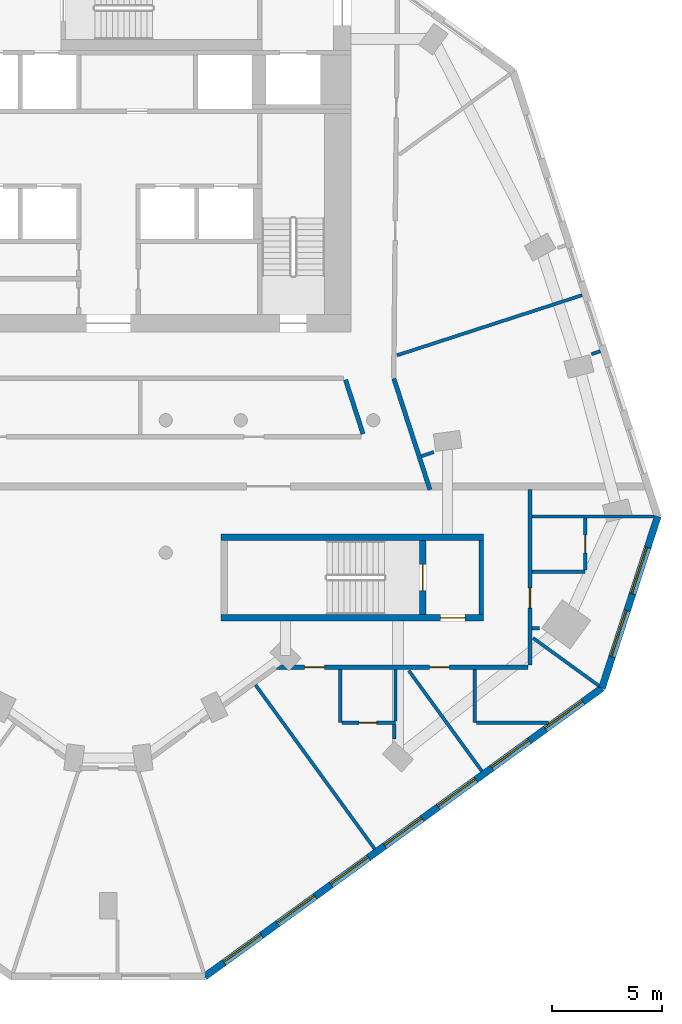
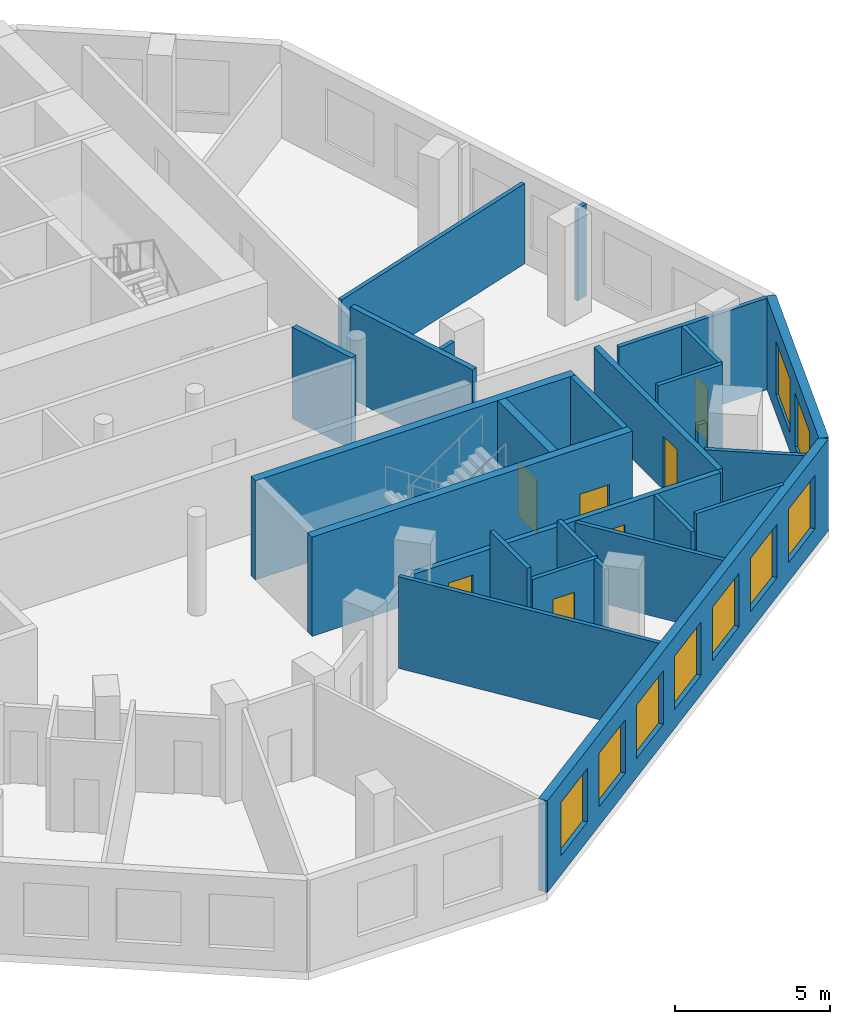
# One storey, part 4 of 9: 26 walls, 9 windows, 7 doors, 16 openings.
"""IFC4 building model written with IfcOpenShell, lengths in metres."""

from ifc_helpers import new_model, si_unit, direction, frame, frame_2d, origin, place, context, subcontext, project, spatial, rectangle, extrude, material, layer, layer_set, type_object, element, fill, save


model = new_model("IFC4")

# Units and contexts
model_context = context("Model", 3, precision=1e-05, world=origin(), true_north=direction((0.0, 1.0)))
body_context = subcontext(model_context, "Body", "Model", "MODEL_VIEW")
ifc_project = project(units=[si_unit("LENGTHUNIT", "METRE"), si_unit("AREAUNIT", "SQUARE_METRE"), si_unit("VOLUMEUNIT", "CUBIC_METRE"), si_unit("PLANEANGLEUNIT", "RADIAN"), si_unit("MASSUNIT", "GRAM", prefix="KILO")], contexts=[model_context])

# Site, building, storey
site_placement = place(None, origin())
site = spatial("IfcSite", under=ifc_project, at=site_placement, CompositionType="ELEMENT")
building_placement = place(site_placement, origin())
building = spatial("IfcBuilding", under=site, at=building_placement, Name="White Candle Pilgrim Tower", CompositionType="ELEMENT")
storey_placement = place(building_placement, frame((0.0, 0.0, 204.300048828125)))
storey = spatial("IfcBuildingStorey", under=building, at=storey_placement, Name="L47", CompositionType="ELEMENT", Elevation=204.300048828125)

# Walls
ifc_material_1 = material(Name="Concrete C50/60", Category="concrete")
ifc_layer_1 = layer(ifc_material_1, 0.199951171875)
ifc_layer_set_1 = layer_set([ifc_layer_1], Name="Core wall 200 mm Concrete C50/60")
wall_type_1 = type_object("IfcWallType", Name="Core wall 200 mm Concrete C50/60", PredefinedType="SHEAR", material=ifc_layer_set_1)
wall_1_placement = place(storey_placement, frame((86.89990234375, 58.199951171875, 0.0), z_axis=(0.0, 0.0, 1.0), x_axis=(0.0, 1.0, 0.0)))
element("IfcWall", 1, at=wall_1_placement, inside=storey, type_object=wall_type_1, Name="WL-L47-C08", PredefinedType="SHEAR", context=body_context, shape_type="SweptSolid", body=[
    extrude(rectangle(XDim=3.35009765625, YDim=0.199951171875, at=frame_2d((1.675048828125, 0.0))), origin(), (0.0, 0.0, 1.0), 3.89990234375),
])
ifc_material_2 = material(Name="Gypsum board on steel studs", Category="steel")
ifc_layer_2 = layer(ifc_material_2, 0.199951171875)
ifc_layer_set_2 = layer_set([ifc_layer_2], Name="Corridor wall 200 mm EI 45")
wall_type_2 = type_object("IfcWallType", Name="Corridor wall 200 mm EI 45", PredefinedType="PARTITIONING", material=ifc_layer_set_2)
wall_2_placement = place(storey_placement, frame((82.93310546875, 68.884521484375, 0.0), z_axis=(0.0, 0.0, 1.0), x_axis=(0.309009941901, -0.951058807754, 0.0)))
element("IfcWall", 2, at=wall_2_placement, inside=storey, type_object=wall_type_2, Name="WL-L47-P005", PredefinedType="PARTITIONING", context=body_context, shape_type="SweptSolid", body=[
    extrude(rectangle(XDim=5.29345703125, YDim=0.199951171875, at=frame_2d((2.646728515625, 0.0))), origin(), (0.0, 0.0, 1.0), 3.599853515625),
])

# Wall, opening, door
wall_3_placement = place(storey_placement, frame((89.10009765625, 63.85009765625, 0.0), z_axis=(0.0, 0.0, 1.0), x_axis=(0.0, -1.0, 0.0)))
wall_3 = element("IfcWall", 3, at=wall_3_placement, inside=storey, type_object=wall_type_2, Name="WL-L47-P006", PredefinedType="PARTITIONING", context=body_context, shape_type="SweptSolid", body=[
    extrude(rectangle(XDim=7.9501953125, YDim=0.199951171875, at=frame_2d((3.97509765625, 0.0))), origin(), (0.0, 0.0, 1.0), 2.89990234375),
])
opening_1_placement = place(wall_3_placement, frame((4.461181640625, 0.0, 0.0)))
opening_1 = element("IfcOpeningElement", 4, at=opening_1_placement, cuts=wall_3, Name="Opening T14-114", PredefinedType="OPENING", context=body_context, shape_type="SweptSolid", body=[
    extrude(rectangle(XDim=0.89990234375, YDim=2.10009765625, at=frame_2d((0.449951171875, 1.050048828125))), frame((0.0, 0.10986328125, 0.0), z_axis=(0.0, -1.0, 0.0), x_axis=(1.0, 0.0, 0.0)), (0.0, 0.0, 1.0), 0.219970703125),
])
ifc_material_3 = material(Name="Steel door leaf", Category="steel")
door_type_1 = type_object("IfcDoorType", Name="Fire door 900 x 2100 EI 30", OperationType="NOTDEFINED", PredefinedType="DOOR", material=ifc_material_3)
door_1_placement = place(opening_1_placement, origin())
door_1 = element("IfcDoor", 5, at=door_1_placement, inside=storey, type_object=door_type_1, Name="Door T14-114", OperationType="SINGLE_SWING_RIGHT", OverallHeight=2.10009765625, OverallWidth=0.89990234375, PredefinedType="DOOR", context=body_context, shape_type="SweptSolid", body=[
    extrude(rectangle(XDim=0.89990234375, YDim=2.10009765625, at=frame_2d((0.449951171875, 1.050048828125))), frame((0.0, 0.02490234375, 0.0), z_axis=(0.0, -1.0, 0.0), x_axis=(1.0, 0.0, 0.0)), (0.0, 0.0, 1.0), 0.050048828125),
])
fill(opening_1, door_1)

# Wall, openings, doors
wall_4_placement = place(storey_placement, frame((89.0, 55.800048828125, 0.0), z_axis=(0.0, 0.0, 1.0), x_axis=(-1.0, 0.0, 0.0)))
wall_4 = element("IfcWall", 6, at=wall_4_placement, inside=storey, type_object=wall_type_2, Name="WL-L47-P007", PredefinedType="PARTITIONING", context=body_context, shape_type="SweptSolid", body=[
    extrude(rectangle(XDim=11.382080078125, YDim=0.199951171875, at=frame_2d((5.69091796875, 0.0))), origin(), (0.0, 0.0, 1.0), 2.89990234375),
])
opening_2_placement = place(wall_4_placement, frame((9.20361328125, 0.0, 0.0)))
opening_2 = element("IfcOpeningElement", 7, at=opening_2_placement, cuts=wall_4, Name="Opening T14-111", PredefinedType="OPENING", context=body_context, shape_type="SweptSolid", body=[
    extrude(rectangle(XDim=0.89990234375, YDim=2.10009765625, at=frame_2d((0.449951171875, 1.050048828125))), frame((0.0, 0.10986328125, 0.0), z_axis=(0.0, -1.0, 0.0), x_axis=(1.0, 0.0, 0.0)), (0.0, 0.0, 1.0), 0.219970703125),
])
opening_3_placement = place(wall_4_placement, frame((3.54638671875, 0.0, 0.0)))
opening_3 = element("IfcOpeningElement", 8, at=opening_3_placement, cuts=wall_4, Name="Opening T14-112", PredefinedType="OPENING", context=body_context, shape_type="SweptSolid", body=[
    extrude(rectangle(XDim=0.89990234375, YDim=2.10009765625, at=frame_2d((0.449951171875, 1.050048828125))), frame((0.0, 0.10986328125, 0.0), z_axis=(0.0, -1.0, 0.0), x_axis=(1.0, 0.0, 0.0)), (0.0, 0.0, 1.0), 0.219970703125),
])
door_2_placement = place(opening_2_placement, origin())
door_2 = element("IfcDoor", 9, at=door_2_placement, inside=storey, type_object=door_type_1, Name="Door T14-111", OperationType="SINGLE_SWING_LEFT", OverallHeight=2.10009765625, OverallWidth=0.89990234375, PredefinedType="DOOR", context=body_context, shape_type="SweptSolid", body=[
    extrude(rectangle(XDim=0.89990234375, YDim=2.10009765625, at=frame_2d((0.449951171875, 1.050048828125))), frame((0.0, 0.02490234375, 0.0), z_axis=(0.0, -1.0, 0.0), x_axis=(1.0, 0.0, 0.0)), (0.0, 0.0, 1.0), 0.050048828125),
])
fill(opening_2, door_2)
door_3_placement = place(opening_3_placement, origin())
door_3 = element("IfcDoor", 10, at=door_3_placement, inside=storey, type_object=door_type_1, Name="Door T14-112", OperationType="SINGLE_SWING_RIGHT", OverallHeight=2.10009765625, OverallWidth=0.89990234375, PredefinedType="DOOR", context=body_context, shape_type="SweptSolid", body=[
    extrude(rectangle(XDim=0.89990234375, YDim=2.10009765625, at=frame_2d((0.449951171875, 1.050048828125))), frame((0.0, 0.02490234375, 0.0), z_axis=(0.0, -1.0, 0.0), x_axis=(1.0, 0.0, 0.0)), (0.0, 0.0, 1.0), 0.050048828125),
])
fill(opening_3, door_3)

# Wall
wall_5_placement = place(storey_placement, frame((81.538330078125, 66.380859375, 0.0), z_axis=(0.0, 0.0, 1.0), x_axis=(-0.309053927645, 0.951044515155, 0.0)))
element("IfcWall", 11, at=wall_5_placement, inside=storey, type_object=wall_type_2, Name="WL-L47-P014", PredefinedType="PARTITIONING", context=body_context, shape_type="SweptSolid", body=[
    extrude(rectangle(XDim=2.576171875, YDim=0.199951171875, at=frame_2d((1.2880859375, 0.0))), origin(), (0.0, 0.0, 1.0), 3.599853515625),
])

# Wall, openings, windows
ifc_material_4 = material(Name="Precast concrete C40/50", Category="concrete")
ifc_layer_3 = layer(ifc_material_4, 0.320068359375)
ifc_layer_set_3 = layer_set([ifc_layer_3], Name="Facade wall EW1 precast concrete C40/50 pier wall with timber-lined reveals")
wall_type_3 = type_object("IfcWallType", Name="Facade wall EW1 precast concrete C40/50 pier wall with timber-lined reveals", PredefinedType="SOLIDWALL", material=ifc_layer_set_3)
wall_6_placement = place(storey_placement, frame((74.377685546875, 41.801025390625, 0.0), z_axis=(0.0, 0.0, 1.0), x_axis=(0.809017634756, 0.587784370883, 0.0)))
wall_6 = element("IfcWall", 12, at=wall_6_placement, inside=storey, type_object=wall_type_3, Name="Facade wall L47 SE", PredefinedType="SOLIDWALL", context=body_context, shape_type="SweptSolid", body=[
    extrude(rectangle(XDim=22.228759765625, YDim=0.320068359375, at=frame_2d((11.1142578125, 0.0))), origin(), (0.0, 0.0, 1.0), 3.599853515625),
])
opening_4_placement = place(wall_6_placement, frame((1.064208984375, 0.0, 0.75)))
opening_4 = element("IfcOpeningElement", 13, at=opening_4_placement, cuts=wall_6, Name="Opening W3", PredefinedType="OPENING", context=body_context, shape_type="SweptSolid", body=[
    extrude(rectangle(XDim=2.10009765625, YDim=2.10009765625, at=frame_2d((1.050048828125, 1.050048828125))), frame((0.0, 0.169921875, 0.0), z_axis=(0.0, -1.0, 0.0), x_axis=(1.0, 0.0, 0.0)), (0.0, 0.0, 1.0), 0.340087890625),
])
opening_5_placement = place(wall_6_placement, frame((4.064208984375, 0.0, 0.75)))
opening_5 = element("IfcOpeningElement", 14, at=opening_5_placement, cuts=wall_6, Name="Opening W3", PredefinedType="OPENING", context=body_context, shape_type="SweptSolid", body=[
    extrude(rectangle(XDim=2.10009765625, YDim=2.10009765625, at=frame_2d((1.050048828125, 1.050048828125))), frame((0.0, 0.169921875, 0.0), z_axis=(0.0, -1.0, 0.0), x_axis=(1.0, 0.0, 0.0)), (0.0, 0.0, 1.0), 0.340087890625),
])
opening_6_placement = place(wall_6_placement, frame((7.064208984375, 0.0, 0.75)))
opening_6 = element("IfcOpeningElement", 15, at=opening_6_placement, cuts=wall_6, Name="Opening W3", PredefinedType="OPENING", context=body_context, shape_type="SweptSolid", body=[
    extrude(rectangle(XDim=2.10009765625, YDim=2.10009765625, at=frame_2d((1.050048828125, 1.050048828125))), frame((0.0, 0.169921875, 0.0), z_axis=(0.0, -1.0, 0.0), x_axis=(1.0, 0.0, 0.0)), (0.0, 0.0, 1.0), 0.340087890625),
])
opening_7_placement = place(wall_6_placement, frame((10.064208984375, 0.0, 0.75)))
opening_7 = element("IfcOpeningElement", 16, at=opening_7_placement, cuts=wall_6, Name="Opening W3", PredefinedType="OPENING", context=body_context, shape_type="SweptSolid", body=[
    extrude(rectangle(XDim=2.10009765625, YDim=2.10009765625, at=frame_2d((1.050048828125, 1.050048828125))), frame((0.0, 0.169921875, 0.0), z_axis=(0.0, -1.0, 0.0), x_axis=(1.0, 0.0, 0.0)), (0.0, 0.0, 1.0), 0.340087890625),
])
opening_8_placement = place(wall_6_placement, frame((13.064208984375, 0.0, 0.75)))
opening_8 = element("IfcOpeningElement", 17, at=opening_8_placement, cuts=wall_6, Name="Opening W3", PredefinedType="OPENING", context=body_context, shape_type="SweptSolid", body=[
    extrude(rectangle(XDim=2.10009765625, YDim=2.10009765625, at=frame_2d((1.050048828125, 1.050048828125))), frame((0.0, 0.169921875, 0.0), z_axis=(0.0, -1.0, 0.0), x_axis=(1.0, 0.0, 0.0)), (0.0, 0.0, 1.0), 0.340087890625),
])
opening_9_placement = place(wall_6_placement, frame((16.064208984375, 0.0, 0.75)))
opening_9 = element("IfcOpeningElement", 18, at=opening_9_placement, cuts=wall_6, Name="Opening W3", PredefinedType="OPENING", context=body_context, shape_type="SweptSolid", body=[
    extrude(rectangle(XDim=2.10009765625, YDim=2.10009765625, at=frame_2d((1.050048828125, 1.050048828125))), frame((0.0, 0.169921875, 0.0), z_axis=(0.0, -1.0, 0.0), x_axis=(1.0, 0.0, 0.0)), (0.0, 0.0, 1.0), 0.340087890625),
])
opening_10_placement = place(wall_6_placement, frame((19.064208984375, 0.0, 0.75)))
opening_10 = element("IfcOpeningElement", 19, at=opening_10_placement, cuts=wall_6, Name="Opening W3", PredefinedType="OPENING", context=body_context, shape_type="SweptSolid", body=[
    extrude(rectangle(XDim=2.10009765625, YDim=2.10009765625, at=frame_2d((1.050048828125, 1.050048828125))), frame((0.0, 0.169921875, 0.0), z_axis=(0.0, -1.0, 0.0), x_axis=(1.0, 0.0, 0.0)), (0.0, 0.0, 1.0), 0.340087890625),
])
ifc_material_5 = material(Name="Timber frame with triple glazing", Category="wood")
window_type_1 = type_object("IfcWindowType", Name="Window W3 2100x2100 timber frame triple glazing", PartitioningType="SINGLE_PANEL", PredefinedType="WINDOW", material=ifc_material_5)
window_1_placement = place(opening_4_placement, origin())
window_1 = element("IfcWindow", 20, at=window_1_placement, inside=storey, type_object=window_type_1, Name="Window W3 L47 SE 1", OverallHeight=2.10009765625, OverallWidth=2.10009765625, PartitioningType="SINGLE_PANEL", PredefinedType="WINDOW", context=body_context, shape_type="SweptSolid", body=[
    extrude(rectangle(XDim=2.10009765625, YDim=2.10009765625, at=frame_2d((1.050048828125, 1.050048828125))), frame((0.0, 0.070068359375, 0.0), z_axis=(0.0, -1.0, 0.0), x_axis=(1.0, 0.0, 0.0)), (0.0, 0.0, 1.0), 0.06005859375),
])
fill(opening_4, window_1)
window_2_placement = place(opening_5_placement, origin())
window_2 = element("IfcWindow", 21, at=window_2_placement, inside=storey, type_object=window_type_1, Name="Window W3 L47 SE 2", OverallHeight=2.10009765625, OverallWidth=2.10009765625, PartitioningType="SINGLE_PANEL", PredefinedType="WINDOW", context=body_context, shape_type="SweptSolid", body=[
    extrude(rectangle(XDim=2.10009765625, YDim=2.10009765625, at=frame_2d((1.050048828125, 1.050048828125))), frame((0.0, 0.070068359375, 0.0), z_axis=(0.0, -1.0, 0.0), x_axis=(1.0, 0.0, 0.0)), (0.0, 0.0, 1.0), 0.06005859375),
])
fill(opening_5, window_2)
window_3_placement = place(opening_6_placement, origin())
window_3 = element("IfcWindow", 22, at=window_3_placement, inside=storey, type_object=window_type_1, Name="Window W3 L47 SE 3", OverallHeight=2.10009765625, OverallWidth=2.10009765625, PartitioningType="SINGLE_PANEL", PredefinedType="WINDOW", context=body_context, shape_type="SweptSolid", body=[
    extrude(rectangle(XDim=2.10009765625, YDim=2.10009765625, at=frame_2d((1.050048828125, 1.050048828125))), frame((0.0, 0.070068359375, 0.0), z_axis=(0.0, -1.0, 0.0), x_axis=(1.0, 0.0, 0.0)), (0.0, 0.0, 1.0), 0.06005859375),
])
fill(opening_6, window_3)
window_4_placement = place(opening_7_placement, origin())
window_4 = element("IfcWindow", 23, at=window_4_placement, inside=storey, type_object=window_type_1, Name="Window W3 L47 SE 4", OverallHeight=2.10009765625, OverallWidth=2.10009765625, PartitioningType="SINGLE_PANEL", PredefinedType="WINDOW", context=body_context, shape_type="SweptSolid", body=[
    extrude(rectangle(XDim=2.10009765625, YDim=2.10009765625, at=frame_2d((1.050048828125, 1.050048828125))), frame((0.0, 0.070068359375, 0.0), z_axis=(0.0, -1.0, 0.0), x_axis=(1.0, 0.0, 0.0)), (0.0, 0.0, 1.0), 0.06005859375),
])
fill(opening_7, window_4)
window_5_placement = place(opening_8_placement, origin())
window_5 = element("IfcWindow", 24, at=window_5_placement, inside=storey, type_object=window_type_1, Name="Window W3 L47 SE 5", OverallHeight=2.10009765625, OverallWidth=2.10009765625, PartitioningType="SINGLE_PANEL", PredefinedType="WINDOW", context=body_context, shape_type="SweptSolid", body=[
    extrude(rectangle(XDim=2.10009765625, YDim=2.10009765625, at=frame_2d((1.050048828125, 1.050048828125))), frame((0.0, 0.070068359375, 0.0), z_axis=(0.0, -1.0, 0.0), x_axis=(1.0, 0.0, 0.0)), (0.0, 0.0, 1.0), 0.06005859375),
])
fill(opening_8, window_5)
window_6_placement = place(opening_9_placement, origin())
window_6 = element("IfcWindow", 25, at=window_6_placement, inside=storey, type_object=window_type_1, Name="Window W3 L47 SE 6", OverallHeight=2.10009765625, OverallWidth=2.10009765625, PartitioningType="SINGLE_PANEL", PredefinedType="WINDOW", context=body_context, shape_type="SweptSolid", body=[
    extrude(rectangle(XDim=2.10009765625, YDim=2.10009765625, at=frame_2d((1.050048828125, 1.050048828125))), frame((0.0, 0.070068359375, 0.0), z_axis=(0.0, -1.0, 0.0), x_axis=(1.0, 0.0, 0.0)), (0.0, 0.0, 1.0), 0.06005859375),
])
fill(opening_9, window_6)
window_7_placement = place(opening_10_placement, origin())
window_7 = element("IfcWindow", 26, at=window_7_placement, inside=storey, type_object=window_type_1, Name="Window W3 L47 SE 7", OverallHeight=2.10009765625, OverallWidth=2.10009765625, PartitioningType="SINGLE_PANEL", PredefinedType="WINDOW", context=body_context, shape_type="SweptSolid", body=[
    extrude(rectangle(XDim=2.10009765625, YDim=2.10009765625, at=frame_2d((1.050048828125, 1.050048828125))), frame((0.0, 0.070068359375, 0.0), z_axis=(0.0, -1.0, 0.0), x_axis=(1.0, 0.0, 0.0)), (0.0, 0.0, 1.0), 0.06005859375),
])
fill(opening_10, window_7)

wall_7_placement = place(storey_placement, frame((92.361083984375, 54.86669921875, 0.0), z_axis=(0.0, 0.0, 1.0), x_axis=(0.309006387978, 0.951059962457, 0.0)))
wall_7 = element("IfcWall", 27, at=wall_7_placement, inside=storey, type_object=wall_type_3, Name="Facade wall L47 E chamfer", PredefinedType="SOLIDWALL", context=body_context, shape_type="SweptSolid", body=[
    extrude(rectangle(XDim=8.175048828125, YDim=0.320068359375, at=frame_2d((4.08740234375, 0.0))), origin(), (0.0, 0.0, 1.0), 3.599853515625),
])
opening_11_placement = place(wall_7_placement, frame((1.487548828125, 0.0, 0.75)))
opening_11 = element("IfcOpeningElement", 28, at=opening_11_placement, cuts=wall_7, Name="Opening W4", PredefinedType="OPENING", context=body_context, shape_type="SweptSolid", body=[
    extrude(rectangle(XDim=2.199951171875, YDim=2.10009765625, at=frame_2d((1.10009765625, 1.050048828125))), frame((0.0, 0.169921875, 0.0), z_axis=(0.0, -1.0, 0.0), x_axis=(1.0, 0.0, 0.0)), (0.0, 0.0, 1.0), 0.340087890625),
])
opening_12_placement = place(wall_7_placement, frame((4.487548828125, 0.0, 0.75)))
opening_12 = element("IfcOpeningElement", 29, at=opening_12_placement, cuts=wall_7, Name="Opening W4", PredefinedType="OPENING", context=body_context, shape_type="SweptSolid", body=[
    extrude(rectangle(XDim=2.199951171875, YDim=2.10009765625, at=frame_2d((1.10009765625, 1.050048828125))), frame((0.0, 0.169921875, 0.0), z_axis=(0.0, -1.0, 0.0), x_axis=(1.0, 0.0, 0.0)), (0.0, 0.0, 1.0), 0.340087890625),
])
window_type_2 = type_object("IfcWindowType", Name="Window W4 2200x2100 timber frame triple glazing", PartitioningType="SINGLE_PANEL", PredefinedType="WINDOW", material=ifc_material_5)
window_8_placement = place(opening_11_placement, origin())
window_8 = element("IfcWindow", 30, at=window_8_placement, inside=storey, type_object=window_type_2, Name="Window W4 L47 E chamfer 1", OverallHeight=2.10009765625, OverallWidth=2.199951171875, PartitioningType="SINGLE_PANEL", PredefinedType="WINDOW", context=body_context, shape_type="SweptSolid", body=[
    extrude(rectangle(XDim=2.199951171875, YDim=2.10009765625, at=frame_2d((1.10009765625, 1.050048828125))), frame((0.0, 0.070068359375, 0.0), z_axis=(0.0, -1.0, 0.0), x_axis=(1.0, 0.0, 0.0)), (0.0, 0.0, 1.0), 0.06005859375),
])
fill(opening_11, window_8)
window_9_placement = place(opening_12_placement, origin())
window_9 = element("IfcWindow", 31, at=window_9_placement, inside=storey, type_object=window_type_2, Name="Window W4 L47 E chamfer 2", OverallHeight=2.10009765625, OverallWidth=2.199951171875, PartitioningType="SINGLE_PANEL", PredefinedType="WINDOW", context=body_context, shape_type="SweptSolid", body=[
    extrude(rectangle(XDim=2.199951171875, YDim=2.10009765625, at=frame_2d((1.10009765625, 1.050048828125))), frame((0.0, 0.070068359375, 0.0), z_axis=(0.0, -1.0, 0.0), x_axis=(1.0, 0.0, 0.0)), (0.0, 0.0, 1.0), 0.06005859375),
])
fill(opening_12, window_9)

# Walls
ifc_layer_4 = layer(ifc_material_2, 0.14990234375)
ifc_layer_set_4 = layer_set([ifc_layer_4], Name="Partition 150 mm EI 60")
wall_type_4 = type_object("IfcWallType", Name="Partition 150 mm EI 60", PredefinedType="PARTITIONING", material=ifc_layer_set_4)
wall_8_placement = place(storey_placement, frame((92.224853515625, 54.965576171875, 0.0), z_axis=(0.0, 0.0, 1.0), x_axis=(-0.809028266422, 0.587769737338, 0.0)))
element("IfcWall", 32, at=wall_8_placement, inside=storey, type_object=wall_type_4, Name="WL-L47-P022", PredefinedType="PARTITIONING", context=body_context, shape_type="SweptSolid", body=[
    extrude(rectangle(XDim=3.684326171875, YDim=0.14990234375, at=frame_2d((1.84228515625, 0.0))), origin(), (0.0, 0.0, 1.0), 2.89990234375),
])
wall_9_placement = place(storey_placement, frame((94.718994140625, 62.6416015625, 0.0), z_axis=(0.0, 0.0, 1.0), x_axis=(-1.0, 0.0, 0.0)))
element("IfcWall", 33, at=wall_9_placement, inside=storey, type_object=wall_type_4, Name="WL-L47-P023", PredefinedType="PARTITIONING", context=body_context, shape_type="SweptSolid", body=[
    extrude(rectangle(XDim=5.51904296875, YDim=0.14990234375, at=frame_2d((2.759521484375, 0.0))), origin(), (0.0, 0.0, 1.0), 3.599853515625),
])
wall_10_placement = place(storey_placement, frame((82.061767578125, 47.58154296875, 0.0), z_axis=(0.0, 0.0, 1.0), x_axis=(-0.587777877013, 0.809022352778, 0.0)))
element("IfcWall", 34, at=wall_10_placement, inside=storey, type_object=wall_type_4, Name="WL-L47-P033", PredefinedType="PARTITIONING", context=body_context, shape_type="SweptSolid", body=[
    extrude(rectangle(XDim=9.179931640625, YDim=0.14990234375, at=frame_2d((4.58984375, 0.0))), origin(), (0.0, 0.0, 1.0), 3.599853515625),
])
wall_11_placement = place(storey_placement, frame((86.916015625, 51.1083984375, 0.0), z_axis=(0.0, 0.0, 1.0), x_axis=(-0.587804932614, 0.809002695419, 0.0)))
element("IfcWall", 35, at=wall_11_placement, inside=storey, type_object=wall_type_4, Name="WL-L47-P034", PredefinedType="PARTITIONING", context=body_context, shape_type="SweptSolid", body=[
    extrude(rectangle(XDim=5.621337890625, YDim=0.14990234375, at=frame_2d((2.810546875, 0.0))), origin(), (0.0, 0.0, 1.0), 2.89990234375),
])
wall_12_placement = place(storey_placement, frame((80.507080078125, 55.699951171875, 0.0), z_axis=(0.0, 0.0, 1.0), x_axis=(0.0, -1.0, 0.0)))
element("IfcWall", 36, at=wall_12_placement, inside=storey, type_object=wall_type_4, Name="WL-L47-P035", PredefinedType="PARTITIONING", context=body_context, shape_type="SweptSolid", body=[
    extrude(rectangle(XDim=2.39990234375, YDim=0.14990234375, at=frame_2d((1.199951171875, 0.0))), origin(), (0.0, 0.0, 1.0), 3.599853515625),
])

# Wall, opening, door
wall_13_placement = place(storey_placement, frame((83.007080078125, 53.300048828125, 0.0), z_axis=(0.0, 0.0, 1.0), x_axis=(-1.0, 0.0, 0.0)))
wall_13 = element("IfcWall", 37, at=wall_13_placement, inside=storey, type_object=wall_type_4, Name="WL-L47-P036", PredefinedType="PARTITIONING", context=body_context, shape_type="SweptSolid", body=[
    extrude(rectangle(XDim=2.4248046875, YDim=0.14990234375, at=frame_2d((1.21240234375, 0.0))), origin(), (0.0, 0.0, 1.0), 3.14990234375),
])
opening_13_placement = place(wall_13_placement, frame((0.85009765625, 0.0, 0.0)))
opening_13 = element("IfcOpeningElement", 38, at=opening_13_placement, cuts=wall_13, Name="Opening T14-110", PredefinedType="OPENING", context=body_context, shape_type="SweptSolid", body=[
    extrude(rectangle(XDim=0.800048828125, YDim=2.10009765625, at=frame_2d((0.39990234375, 1.050048828125))), frame((0.0, 0.0849609375, 0.0), z_axis=(0.0, -1.0, 0.0), x_axis=(1.0, 0.0, 0.0)), (0.0, 0.0, 1.0), 0.169921875),
])
door_type_2 = type_object("IfcDoorType", Name="Fire door 800 x 2100 EI 30", OperationType="NOTDEFINED", PredefinedType="DOOR", material=ifc_material_3)
door_4_placement = place(opening_13_placement, origin())
door_4 = element("IfcDoor", 39, at=door_4_placement, inside=storey, type_object=door_type_2, Name="Door T14-110", OperationType="SINGLE_SWING_RIGHT", OverallHeight=2.10009765625, OverallWidth=0.800048828125, PredefinedType="DOOR", context=body_context, shape_type="SweptSolid", body=[
    extrude(rectangle(XDim=0.800048828125, YDim=2.10009765625, at=frame_2d((0.39990234375, 1.050048828125))), frame((0.0, 0.02490234375, 0.0), z_axis=(0.0, -1.0, 0.0), x_axis=(1.0, 0.0, 0.0)), (0.0, 0.0, 1.0), 0.050048828125),
])
fill(opening_13, door_4)

# Walls
wall_14_placement = place(storey_placement, frame((83.007080078125, 55.699951171875, 0.0), z_axis=(0.0, 0.0, 1.0), x_axis=(0.0, -1.0, 0.0)))
element("IfcWall", 40, at=wall_14_placement, inside=storey, type_object=wall_type_4, Name="WL-L47-P037", PredefinedType="PARTITIONING", context=body_context, shape_type="SweptSolid", body=[
    extrude(rectangle(XDim=2.324951171875, YDim=0.14990234375, at=frame_2d((1.16259765625, 0.0))), origin(), (0.0, 0.0, 1.0), 3.14990234375),
])
wall_15_placement = place(storey_placement, frame((86.60009765625, 55.699951171875, 0.0), z_axis=(0.0, 0.0, 1.0), x_axis=(0.0, -1.0, 0.0)))
element("IfcWall", 41, at=wall_15_placement, inside=storey, type_object=wall_type_4, Name="WL-L47-P038", PredefinedType="PARTITIONING", context=body_context, shape_type="SweptSolid", body=[
    extrude(rectangle(XDim=2.39990234375, YDim=0.14990234375, at=frame_2d((1.199951171875, 0.0))), origin(), (0.0, 0.0, 1.0), 2.89990234375),
])
wall_16_placement = place(storey_placement, frame((89.9326171875, 53.300048828125, 0.0), z_axis=(0.0, 0.0, 1.0), x_axis=(-1.0, 0.0, 0.0)))
element("IfcWall", 42, at=wall_16_placement, inside=storey, type_object=wall_type_4, Name="WL-L47-P039", PredefinedType="PARTITIONING", context=body_context, shape_type="SweptSolid", body=[
    extrude(rectangle(XDim=3.257568359375, YDim=0.14990234375, at=frame_2d((1.62890625, 0.0))), origin(), (0.0, 0.0, 1.0), 3.599853515625),
])
wall_17_placement = place(storey_placement, frame((89.199951171875, 60.1416015625, 0.0), z_axis=(0.0, 0.0, 1.0), x_axis=(1.0, 0.0, 0.0)))
element("IfcWall", 43, at=wall_17_placement, inside=storey, type_object=wall_type_4, Name="WL-L47-P040", PredefinedType="PARTITIONING", context=body_context, shape_type="SweptSolid", body=[
    extrude(rectangle(XDim=2.400146484375, YDim=0.14990234375, at=frame_2d((1.2001953125, 0.0))), origin(), (0.0, 0.0, 1.0), 3.599853515625),
])

# Wall, opening, door
wall_18_placement = place(storey_placement, frame((91.60009765625, 62.566650390625, 0.0), z_axis=(0.0, 0.0, 1.0), x_axis=(0.0, -1.0, 0.0)))
wall_18 = element("IfcWall", 44, at=wall_18_placement, inside=storey, type_object=wall_type_4, Name="WL-L47-P041", PredefinedType="PARTITIONING", context=body_context, shape_type="SweptSolid", body=[
    extrude(rectangle(XDim=2.35009765625, YDim=0.14990234375, at=frame_2d((1.175048828125, 0.0))), origin(), (0.0, 0.0, 1.0), 3.599853515625),
])
opening_14_placement = place(wall_18_placement, frame((0.77490234375, 0.0, 0.0)))
opening_14 = element("IfcOpeningElement", 45, at=opening_14_placement, cuts=wall_18, Name="Opening T14-113", PredefinedType="OPENING", context=body_context, shape_type="SweptSolid", body=[
    extrude(rectangle(XDim=0.800048828125, YDim=2.10009765625, at=frame_2d((0.39990234375, 1.050048828125))), frame((0.0, 0.0849609375, 0.0), z_axis=(0.0, -1.0, 0.0), x_axis=(1.0, 0.0, 0.0)), (0.0, 0.0, 1.0), 0.169921875),
])
door_5_placement = place(opening_14_placement, origin())
door_5 = element("IfcDoor", 46, at=door_5_placement, inside=storey, type_object=door_type_2, Name="Door T14-113", OperationType="SINGLE_SWING_LEFT", OverallHeight=2.10009765625, OverallWidth=0.800048828125, PredefinedType="DOOR", context=body_context, shape_type="SweptSolid", body=[
    extrude(rectangle(XDim=0.800048828125, YDim=2.10009765625, at=frame_2d((0.39990234375, 1.050048828125))), frame((0.0, 0.02490234375, 0.0), z_axis=(0.0, -1.0, 0.0), x_axis=(1.0, 0.0, 0.0)), (0.0, 0.0, 1.0), 0.050048828125),
])
fill(opening_14, door_5)

# Walls
wall_19_placement = place(storey_placement, frame((91.46240234375, 72.6640625, 0.0), z_axis=(0.0, 0.0, 1.0), x_axis=(-0.951054829907, -0.309022184495, 0.0)))
element("IfcWall", 47, at=wall_19_placement, inside=storey, type_object=wall_type_4, Name="WL-L47-P042", PredefinedType="PARTITIONING", context=body_context, shape_type="SweptSolid", body=[
    extrude(rectangle(XDim=8.813720703125, YDim=0.14990234375, at=frame_2d((4.40673828125, 0.0))), origin(), (0.0, 0.0, 1.0), 3.14990234375),
])
wall_20_placement = place(storey_placement, frame((82.951416015625, 52.5517578125, 0.0), z_axis=(0.0, 0.0, 1.0), x_axis=(0.0, 1.0, 0.0)))
element("IfcWall", 48, at=wall_20_placement, inside=storey, type_object=wall_type_4, Name="WL-L47-P047", PredefinedType="PARTITIONING", context=body_context, shape_type="SweptSolid", body=[
    extrude(rectangle(XDim=0.67333984375, YDim=0.14990234375, at=frame_2d((0.336669921875, 0.0))), origin(), (0.0, 0.0, 1.0), 3.14990234375),
])
wall_21_placement = place(storey_placement, frame((89.53271484375, 57.57568359375, 0.0), z_axis=(0.0, 0.0, 1.0), x_axis=(-1.0, 0.0, 0.0)))
element("IfcWall", 49, at=wall_21_placement, inside=storey, type_object=wall_type_4, Name="WL-L47-P048", PredefinedType="PARTITIONING", context=body_context, shape_type="SweptSolid", body=[
    extrude(rectangle(XDim=0.332763671875, YDim=0.14990234375, at=frame_2d((0.16650390625, 0.0))), origin(), (0.0, 0.0, 1.0), 3.599853515625),
])
wall_22_placement = place(storey_placement, frame((91.887451171875, 69.995849609375, 0.0), z_axis=(0.0, 0.0, 1.0), x_axis=(0.951093789288, 0.30890225635, 0.0)))
element("IfcWall", 50, at=wall_22_placement, inside=storey, type_object=wall_type_4, Name="WL-L47-P049", PredefinedType="PARTITIONING", context=body_context, shape_type="SweptSolid", body=[
    extrude(rectangle(XDim=0.42041015625, YDim=0.14990234375, at=frame_2d((0.210205078125, 0.0))), origin(), (0.0, 0.0, 1.0), 3.599853515625),
])
wall_23_placement = place(storey_placement, frame((84.7431640625, 65.55517578125, 0.0), z_axis=(0.0, 0.0, 1.0), x_axis=(-0.9510855144, -0.308927733131, 0.0)))
element("IfcWall", 51, at=wall_23_placement, inside=storey, type_object=wall_type_4, Name="WL-L47-P053", PredefinedType="PARTITIONING", context=body_context, shape_type="SweptSolid", body=[
    extrude(rectangle(XDim=0.5927734375, YDim=0.14990234375, at=frame_2d((0.29638671875, 0.0))), origin(), (0.0, 0.0, 1.0), 3.599853515625),
])

# Wall, opening, door
ifc_layer_5 = layer(ifc_material_1, 0.300048828125)
ifc_layer_set_5 = layer_set([ifc_layer_5], Name="Stair shaft wall 300 mm Concrete C50/60")
wall_type_5 = type_object("IfcWallType", Name="Stair shaft wall 300 mm Concrete C50/60", PredefinedType="SHEAR", material=ifc_layer_set_5)
wall_24_placement = place(storey_placement, frame((75.10009765625, 58.050048828125, 0.0), z_axis=(0.0, 0.0, 1.0), x_axis=(1.0, 0.0, 0.0)))
wall_24 = element("IfcWall", 52, at=wall_24_placement, inside=storey, type_object=wall_type_5, Name="WL-L47-C02", PredefinedType="SHEAR", context=body_context, shape_type="SweptSolid", body=[
    extrude(rectangle(XDim=11.89990234375, YDim=0.300048828125, at=frame_2d((5.949951171875, 0.0))), origin(), (0.0, 0.0, 1.0), 3.89990234375),
])
opening_15_placement = place(wall_24_placement, frame((9.949951171875, 0.0, 0.0)))
opening_15 = element("IfcOpeningElement", 53, at=opening_15_placement, cuts=wall_24, Name="Opening T14-012", PredefinedType="OPENING", context=body_context, shape_type="SweptSolid", body=[
    extrude(rectangle(XDim=1.10009765625, YDim=2.10009765625, at=frame_2d((0.550048828125, 1.050048828125))), frame((0.0, 0.159912109375, 0.0), z_axis=(0.0, -1.0, 0.0), x_axis=(1.0, 0.0, 0.0)), (0.0, 0.0, 1.0), 0.320068359375),
])
door_type_3 = type_object("IfcDoorType", Name="Fire door 1100 x 2100 EI 60", OperationType="NOTDEFINED", PredefinedType="DOOR", material=ifc_material_3)
door_6_placement = place(opening_15_placement, origin())
door_6 = element("IfcDoor", 54, at=door_6_placement, inside=storey, type_object=door_type_3, Name="Door T14-012", OperationType="SINGLE_SWING_RIGHT", OverallHeight=2.10009765625, OverallWidth=1.10009765625, PredefinedType="DOOR", context=body_context, shape_type="SweptSolid", body=[
    extrude(rectangle(XDim=1.10009765625, YDim=2.10009765625, at=frame_2d((0.550048828125, 1.050048828125))), frame((0.0, 0.02490234375, 0.0), z_axis=(0.0, -1.0, 0.0), x_axis=(1.0, 0.0, 0.0)), (0.0, 0.0, 1.0), 0.050048828125),
])
fill(opening_15, door_6)

wall_25_placement = place(storey_placement, frame((84.25, 58.199951171875, 0.0), z_axis=(0.0, 0.0, 1.0), x_axis=(0.0, 1.0, 0.0)))
wall_25 = element("IfcWall", 55, at=wall_25_placement, inside=storey, type_object=wall_type_5, Name="WL-L47-C07", PredefinedType="SHEAR", context=body_context, shape_type="SweptSolid", body=[
    extrude(rectangle(XDim=3.35009765625, YDim=0.300048828125, at=frame_2d((1.675048828125, 0.0))), origin(), (0.0, 0.0, 1.0), 3.89990234375),
])
opening_16_placement = place(wall_25_placement, frame((1.074951171875, 0.0, 0.0)))
opening_16 = element("IfcOpeningElement", 56, at=opening_16_placement, cuts=wall_25, Name="Opening T14-013", PredefinedType="OPENING", context=body_context, shape_type="SweptSolid", body=[
    extrude(rectangle(XDim=1.199951171875, YDim=2.10009765625, at=frame_2d((0.60009765625, 1.050048828125))), frame((0.0, 0.159912109375, 0.0), z_axis=(0.0, -1.0, 0.0), x_axis=(1.0, 0.0, 0.0)), (0.0, 0.0, 1.0), 0.320068359375),
])
door_type_4 = type_object("IfcDoorType", Name="Fire door 1200 x 2100 EI 60", OperationType="NOTDEFINED", PredefinedType="DOOR", material=ifc_material_3)
door_7_placement = place(opening_16_placement, origin())
door_7 = element("IfcDoor", 57, at=door_7_placement, inside=storey, type_object=door_type_4, Name="Door T14-013", OperationType="SINGLE_SWING_LEFT", OverallHeight=2.10009765625, OverallWidth=1.199951171875, PredefinedType="DOOR", context=body_context, shape_type="SweptSolid", body=[
    extrude(rectangle(XDim=1.199951171875, YDim=2.10009765625, at=frame_2d((0.60009765625, 1.050048828125))), frame((0.0, 0.02490234375, 0.0), z_axis=(0.0, -1.0, 0.0), x_axis=(1.0, 0.0, 0.0)), (0.0, 0.0, 1.0), 0.050048828125),
])
fill(opening_16, door_7)

# Wall
wall_26_placement = place(storey_placement, frame((75.10009765625, 61.699951171875, 0.0), z_axis=(0.0, 0.0, 1.0), x_axis=(1.0, 0.0, 0.0)))
element("IfcWall", 58, at=wall_26_placement, inside=storey, type_object=wall_type_5, Name="WL-L47-C10", PredefinedType="SHEAR", context=body_context, shape_type="SweptSolid", body=[
    extrude(rectangle(XDim=11.89990234375, YDim=0.300048828125, at=frame_2d((5.949951171875, 0.0))), origin(), (0.0, 0.0, 1.0), 3.89990234375),
])

save(model, "model.ifc")
